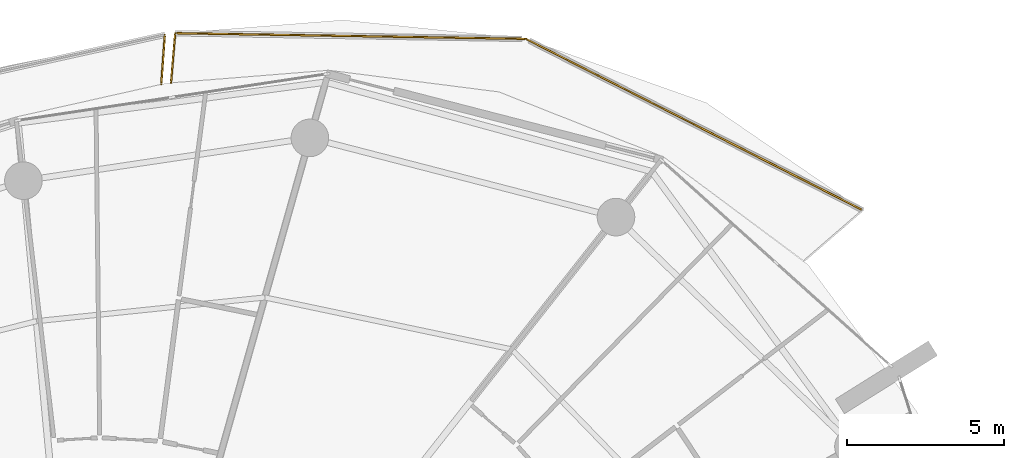
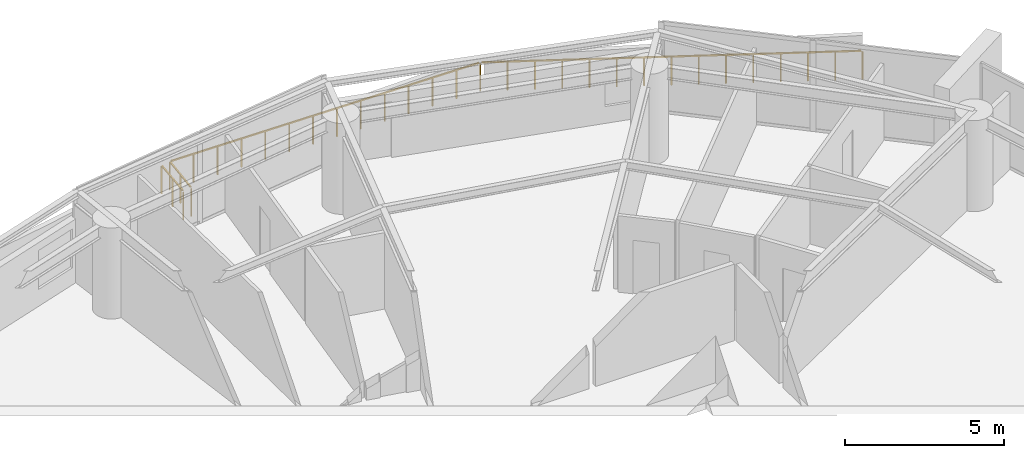
# One storey, part 23 of 23: 4 railings.
"""IFC4 building model written with IfcOpenShell, lengths in metres."""

import ifcopenshell
import ifcopenshell.guid

model = None  # the IFC model being written
_history = None  # IfcOwnerHistory: only IFC2X3 demands one
_inside = {}  # id of a spatial element -> (the spatial element, [elements in it])
_under = {}  # id of a project, library or spatial element -> (it, [spatial elements below it])
_declared = {}  # id of a project -> (the project, [libraries it declares])
_typed = {}  # id of a type object -> (the type object, [elements of that type])
_made_of = {}  # id of a material, layer set ... -> (it, [elements and type objects made of it])


def new_model(schema):
    """Start an empty IFC model of exactly this schema.

    Asked for "IFC4X3", IfcOpenShell would pick the latest addendum, in which some entities
    have other attributes; the version numbers below select the first issue.
    IFC2X3 requires an IfcOwnerHistory on every rooted entity: one is made here for all.
    """
    global model, _history
    if schema == "IFC4X3":
        model = ifcopenshell.file(schema_version=(4, 3, 0, 0))
    else:
        model = ifcopenshell.file(schema=schema)
    _inside.clear()
    _under.clear()
    _declared.clear()
    _typed.clear()
    _made_of.clear()
    _history = None
    if model.schema == "IFC2X3":
        org = make("IfcOrganization", Name="unknown")
        user = make(
            "IfcPersonAndOrganization",
            ThePerson=make("IfcPerson", FamilyName="unknown"),
            TheOrganization=org,
        )
        app = make(
            "IfcApplication",
            ApplicationDeveloper=org,
            Version="unknown",
            ApplicationFullName="unknown",
            ApplicationIdentifier="unknown",
        )
        _history = make(
            "IfcOwnerHistory",
            OwningUser=user,
            OwningApplication=app,
            ChangeAction="ADDED",
            CreationDate=0,
        )
    return model


def make(cls, **values):
    """One entity of the class cls with the attributes given. An attribute that is None is left unset."""
    return model.create_entity(
        cls, **{name: value for name, value in values.items() if value is not None}
    )


def rooted(cls, **values):
    """An entity with a GlobalId (a new one), such as an element, a storey or a relation."""
    return make(cls, GlobalId=ifcopenshell.guid.new(), OwnerHistory=_history, **values)


def si_unit(unit_type, name, prefix=None):
    """IfcSIUnit, for example si_unit("LENGTHUNIT", "METRE", prefix="MILLI")."""
    return make("IfcSIUnit", UnitType=unit_type, Prefix=prefix, Name=name)


def assignment(units):
    """IfcUnitAssignment: the units of a project."""
    return None if units is None else make("IfcUnitAssignment", Units=units)


def point(xyz):
    """IfcCartesianPoint."""
    return None if xyz is None else make("IfcCartesianPoint", Coordinates=xyz)


def direction(xyz):
    """IfcDirection."""
    return None if xyz is None else make("IfcDirection", DirectionRatios=xyz)


def frame(location, z_axis=None, x_axis=None):
    """IfcAxis2Placement3D, a coordinate frame: its origin and axes. An axis left out is left unset."""
    return make(
        "IfcAxis2Placement3D",
        Location=point(location),
        Axis=direction(z_axis),
        RefDirection=direction(x_axis),
    )


def frame_2d(location, x_axis=None):
    """IfcAxis2Placement2D, a coordinate frame in the plane: its origin and x axis."""
    return make(
        "IfcAxis2Placement2D", Location=point(location), RefDirection=direction(x_axis)
    )


def origin():
    """The frame at (0, 0, 0) with its axes left unset."""
    return frame((0.0, 0.0, 0.0))


def origin_2d():
    """The frame at (0, 0) in the plane with its x axis left unset."""
    return frame_2d((0.0, 0.0))


def place(relative_to, where):
    """IfcLocalPlacement: puts the frame where relative to a parent placement (None: the world)."""
    return make(
        "IfcLocalPlacement", PlacementRelTo=relative_to, RelativePlacement=where
    )


def context(
    kind, dimensions, precision=None, world=None, true_north=None, identifier=None
):
    """IfcGeometricRepresentationContext, for example the 3D "Model" context."""
    return make(
        "IfcGeometricRepresentationContext",
        ContextIdentifier=identifier,
        ContextType=kind,
        CoordinateSpaceDimension=dimensions,
        Precision=precision,
        WorldCoordinateSystem=world,
        TrueNorth=true_north,
    )


def subcontext(parent, identifier, kind, view, scale=None):
    """IfcGeometricRepresentationSubContext, for example "Body" below "Model"."""
    return make(
        "IfcGeometricRepresentationSubContext",
        ContextIdentifier=identifier,
        ContextType=kind,
        ParentContext=parent,
        TargetScale=scale,
        TargetView=view,
    )


def project(units=None, contexts=None):
    """IfcProject with its units and contexts."""
    return rooted(
        "IfcProject",
        Name="project",
        RepresentationContexts=contexts,
        UnitsInContext=assignment(units),
    )


def spatial(cls, under=None, at=None, **own):
    """A site, building, storey or space (cls), placed at a placement, below another one or the project."""
    s = rooted(cls, ObjectPlacement=at, **own)
    if under is not None:
        _under.setdefault(under.id(), (under, []))[1].append(s)
    return s


def profile(cls, at=None, kind="AREA", **sizes):
    """A parametric profile (cls). Its sizes go by their IFC names, for example OverallWidth=200.0."""
    return make(cls, ProfileType=kind, Position=at, **sizes)


def rectangle(**sizes):
    """IfcRectangleProfileDef."""
    return profile("IfcRectangleProfileDef", **sizes)


def extrude(swept, where, along, depth):
    """IfcExtrudedAreaSolid: the profile swept, set in the frame where, extruded along a direction by depth."""
    return make(
        "IfcExtrudedAreaSolid",
        SweptArea=swept,
        Position=where,
        ExtrudedDirection=direction(along),
        Depth=depth,
    )


def shape(context_of_items, identifier, shape_type, items):
    """IfcShapeRepresentation: the items that make up one representation, for example the "Body"."""
    return make(
        "IfcShapeRepresentation",
        ContextOfItems=context_of_items,
        RepresentationIdentifier=identifier,
        RepresentationType=shape_type,
        Items=items,
    )


def material(Name=None, Category=None):
    """IfcMaterial."""
    return make("IfcMaterial", Name=Name, Category=Category)


def made_of(thing, what):
    """Note that an element or type object is made of a material, layer set ...; save() writes the relation."""
    if what is not None:
        _made_of.setdefault(what.id(), (what, []))[1].append(thing)
    return thing


def type_object(cls, material=None, **own):
    """A type object (cls), such as IfcWallType, which elements share."""
    return made_of(rooted(cls, **own), material)


def element(
    cls,
    number,
    at=None,
    inside=None,
    cuts=None,
    type_object=None,
    material=None,
    context=None,
    identifier="Body",
    shape_type=None,
    held_by="IfcProductDefinitionShape",
    body=None,
    shapes=None,
    **own,
):
    """One element of the class cls, such as IfcWall. Its Tag is "e" and its number.

    at: its placement. inside: the storey or other place that contains it. cuts: it is an
    opening in that element (IfcRelVoidsElement). A single representation is given by context,
    identifier, shape_type and body (its items); several are given by shapes. held_by: the class
    of the entity that holds the representations. save() writes the other relations.
    """
    e = rooted(cls, Tag="e%d" % number, ObjectPlacement=at, **own)
    if body is not None:
        shapes = [shape(context, identifier, shape_type, body)]
    if shapes is not None:
        e.Representation = make(held_by, Representations=shapes)
    if inside is not None:
        _inside.setdefault(inside.id(), (inside, []))[1].append(e)
    if cuts is not None:
        rooted(
            "IfcRelVoidsElement", RelatingBuildingElement=cuts, RelatedOpeningElement=e
        )
    if type_object is not None:
        _typed.setdefault(type_object.id(), (type_object, []))[1].append(e)
    return made_of(e, material)


def aggregate(whole, parts):
    """IfcRelAggregates: a whole, such as a stair, and the parts it consists of."""
    return rooted("IfcRelAggregates", RelatingObject=whole, RelatedObjects=parts)


def save(model, path):
    """Write the relations noted so far, then the file.

    IfcRelAggregates (storeys below a building ...), IfcRelContainedInSpatialStructure (elements
    in a storey), IfcRelDefinesByType, IfcRelAssociatesMaterial and IfcRelDeclares: one each for
    every whole, place, type object, material and project.
    """
    for whole, parts in _under.values():
        aggregate(whole, parts)
    for where, things in _inside.values():
        rooted(
            "IfcRelContainedInSpatialStructure",
            RelatedElements=things,
            RelatingStructure=where,
        )
    for kind, things in _typed.values():
        rooted("IfcRelDefinesByType", RelatedObjects=things, RelatingType=kind)
    for what, things in _made_of.values():
        rooted("IfcRelAssociatesMaterial", RelatedObjects=things, RelatingMaterial=what)
    for by, libraries in _declared.values():
        rooted("IfcRelDeclares", RelatingContext=by, RelatedDefinitions=libraries)
    model.write(path)


model = new_model("IFC4")

# Units and contexts
model_context = context("Model", 3, precision=1e-05, world=origin(), true_north=direction((0.0, 1.0)))
body_context = subcontext(model_context, "Body", "Model", "MODEL_VIEW")
ifc_project = project(units=[si_unit("LENGTHUNIT", "METRE"), si_unit("AREAUNIT", "SQUARE_METRE"), si_unit("VOLUMEUNIT", "CUBIC_METRE"), si_unit("PLANEANGLEUNIT", "RADIAN"), si_unit("MASSUNIT", "GRAM", prefix="KILO")], contexts=[model_context])

# Site, building, storey
site_placement = place(None, origin())
site = spatial("IfcSite", under=ifc_project, at=site_placement, CompositionType="ELEMENT")
building_placement = place(site_placement, origin())
building = spatial("IfcBuilding", under=site, at=building_placement, Name="Kazma Halo Residences", CompositionType="ELEMENT")
storey_placement = place(building_placement, frame((0.0, 0.0, 78.89990234375)))
storey = spatial("IfcBuildingStorey", under=building, at=storey_placement, Name="L19", CompositionType="ELEMENT", Elevation=78.89990234375)

# Railings
ifc_material = material(Name="Aluminium AW-6063 T6 Brushed Cap Rail", Category="aluminium")
railing_type = type_object("IfcRailingType", Name="RLG-BAL-CAP-1120", PredefinedType="BALUSTRADE", material=ifc_material)
railing_1_placement = place(storey_placement, frame((72.20068359375, 62.92626953125, 0.0)))
element("IfcRailing", 1, at=railing_1_placement, inside=storey, type_object=railing_type, Name="L19 NE wave balcony guard 2", PredefinedType="BALUSTRADE", context=body_context, shape_type="SweptSolid", body=[
    extrude(rectangle(XDim=0.050048828125, YDim=0.050048828125, at=origin_2d()), frame((-0.037841796875, 0.019287109375, 1.09521484375), z_axis=(-0.891325526743, 0.45336387745, 0.0), x_axis=(-0.45336387745, -0.891325526743, 0.0)), (0.0, 0.0, 1.0), 11.9775390625),
    extrude(rectangle(XDim=0.0400390625, YDim=0.0400390625, at=origin_2d()), origin(), (0.0, 0.0, 1.0), 1.05810546875),
    extrude(rectangle(XDim=0.0400390625, YDim=0.0400390625, at=origin_2d()), frame((-0.76806640625, 0.390625, 0.0)), (0.0, 0.0, 1.0), 1.05810546875),
    extrude(rectangle(XDim=0.0400390625, YDim=0.0400390625, at=origin_2d()), frame((-1.535888671875, 0.78125, 0.0)), (0.0, 0.0, 1.0), 1.05810546875),
    extrude(rectangle(XDim=0.0400390625, YDim=0.0400390625, at=origin_2d()), frame((-2.303955078125, 1.171875, 0.0)), (0.0, 0.0, 1.0), 1.05810546875),
    extrude(rectangle(XDim=0.0400390625, YDim=0.0400390625, at=origin_2d()), frame((-3.072021484375, 1.5625, 0.0)), (0.0, 0.0, 1.0), 1.05810546875),
    extrude(rectangle(XDim=0.0400390625, YDim=0.0400390625, at=origin_2d()), frame((-3.83984375, 1.953125, 0.0)), (0.0, 0.0, 1.0), 1.05810546875),
    extrude(rectangle(XDim=0.0400390625, YDim=0.0400390625, at=origin_2d()), frame((-4.60791015625, 2.34375, 0.0)), (0.0, 0.0, 1.0), 1.05810546875),
    extrude(rectangle(XDim=0.0400390625, YDim=0.0400390625, at=origin_2d()), frame((-5.3759765625, 2.734375, 0.0)), (0.0, 0.0, 1.0), 1.05810546875),
    extrude(rectangle(XDim=0.0400390625, YDim=0.0400390625, at=origin_2d()), frame((-6.143798828125, 3.125, 0.0)), (0.0, 0.0, 1.0), 1.05810546875),
    extrude(rectangle(XDim=0.0400390625, YDim=0.0400390625, at=origin_2d()), frame((-6.911865234375, 3.515625, 0.0)), (0.0, 0.0, 1.0), 1.05810546875),
    extrude(rectangle(XDim=0.0400390625, YDim=0.0400390625, at=origin_2d()), frame((-7.6796875, 3.90625, 0.0)), (0.0, 0.0, 1.0), 1.05810546875),
    extrude(rectangle(XDim=0.0400390625, YDim=0.0400390625, at=origin_2d()), frame((-8.44775390625, 4.296875, 0.0)), (0.0, 0.0, 1.0), 1.05810546875),
    extrude(rectangle(XDim=0.0400390625, YDim=0.0400390625, at=origin_2d()), frame((-9.2158203125, 4.6875, 0.0)), (0.0, 0.0, 1.0), 1.05810546875),
    extrude(rectangle(XDim=0.0400390625, YDim=0.0400390625, at=origin_2d()), frame((-9.983642578125, 5.078125, 0.0)), (0.0, 0.0, 1.0), 1.05810546875),
    extrude(rectangle(XDim=0.0400390625, YDim=0.0400390625, at=origin_2d()), frame((-10.751708984375, 5.46875, 0.0)), (0.0, 0.0, 1.0), 1.05810546875),
])
railing_2_placement = place(storey_placement, frame((61.448974609375, 68.39501953125, 0.0)))
element("IfcRailing", 2, at=railing_2_placement, inside=storey, type_object=railing_type, Name="L19 NE wave balcony guard 3", PredefinedType="BALUSTRADE", context=body_context, shape_type="SweptSolid", body=[
    extrude(rectangle(XDim=0.050048828125, YDim=0.050048828125, at=origin_2d()), frame((-0.04248046875, 0.000732421875, 1.09521484375), z_axis=(-0.999868371043, 0.016224690688, 0.0), x_axis=(-0.016224690688, -0.999868371043, 0.0)), (0.0, 0.0, 1.0), 11.1103515625),
    extrude(rectangle(XDim=0.0400390625, YDim=0.0400390625, at=origin_2d()), origin(), (0.0, 0.0, 1.0), 1.05810546875),
    extrude(rectangle(XDim=0.0400390625, YDim=0.0400390625, at=origin_2d()), frame((-0.861083984375, 0.013916015625, 0.0)), (0.0, 0.0, 1.0), 1.05810546875),
    extrude(rectangle(XDim=0.0400390625, YDim=0.0400390625, at=origin_2d()), frame((-1.72216796875, 0.02783203125, 0.0)), (0.0, 0.0, 1.0), 1.05810546875),
    extrude(rectangle(XDim=0.0400390625, YDim=0.0400390625, at=origin_2d()), frame((-2.583251953125, 0.0419921875, 0.0)), (0.0, 0.0, 1.0), 1.05810546875),
    extrude(rectangle(XDim=0.0400390625, YDim=0.0400390625, at=origin_2d()), frame((-3.4443359375, 0.055908203125, 0.0)), (0.0, 0.0, 1.0), 1.05810546875),
    extrude(rectangle(XDim=0.0400390625, YDim=0.0400390625, at=origin_2d()), frame((-4.305419921875, 0.06982421875, 0.0)), (0.0, 0.0, 1.0), 1.05810546875),
    extrude(rectangle(XDim=0.0400390625, YDim=0.0400390625, at=origin_2d()), frame((-5.16650390625, 0.083740234375, 0.0)), (0.0, 0.0, 1.0), 1.05810546875),
    extrude(rectangle(XDim=0.0400390625, YDim=0.0400390625, at=origin_2d()), frame((-6.02734375, 0.097900390625, 0.0)), (0.0, 0.0, 1.0), 1.05810546875),
    extrude(rectangle(XDim=0.0400390625, YDim=0.0400390625, at=origin_2d()), frame((-6.888427734375, 0.11181640625, 0.0)), (0.0, 0.0, 1.0), 1.05810546875),
    extrude(rectangle(XDim=0.0400390625, YDim=0.0400390625, at=origin_2d()), frame((-7.74951171875, 0.125732421875, 0.0)), (0.0, 0.0, 1.0), 1.05810546875),
    extrude(rectangle(XDim=0.0400390625, YDim=0.0400390625, at=origin_2d()), frame((-8.610595703125, 0.1396484375, 0.0)), (0.0, 0.0, 1.0), 1.05810546875),
    extrude(rectangle(XDim=0.0400390625, YDim=0.0400390625, at=origin_2d()), frame((-9.4716796875, 0.15380859375, 0.0)), (0.0, 0.0, 1.0), 1.05810546875),
    extrude(rectangle(XDim=0.0400390625, YDim=0.0400390625, at=origin_2d()), frame((-10.332763671875, 0.167724609375, 0.0)), (0.0, 0.0, 1.0), 1.05810546875),
    extrude(rectangle(XDim=0.0400390625, YDim=0.0400390625, at=origin_2d()), frame((-11.19384765625, 0.181640625, 0.0)), (0.0, 0.0, 1.0), 1.05810546875),
])
railing_3_placement = place(storey_placement, frame((50.255126953125, 68.57666015625, 0.0)))
element("IfcRailing", 3, at=railing_3_placement, inside=storey, type_object=railing_type, Name="L19 NE wave balcony guard 4", PredefinedType="BALUSTRADE", context=body_context, shape_type="SweptSolid", body=[
    extrude(rectangle(XDim=0.050048828125, YDim=0.050048828125, at=origin_2d()), frame((-0.003662109375, -0.04248046875, 1.09521484375), z_axis=(-0.084608455239, -0.996414275943, 0.0), x_axis=(0.996414275943, -0.084608455239, 0.0)), (0.0, 0.0, 1.0), 1.5048828125),
    extrude(rectangle(XDim=0.0400390625, YDim=0.0400390625, at=origin_2d()), origin(), (0.0, 0.0, 1.0), 1.05810546875),
    extrude(rectangle(XDim=0.0400390625, YDim=0.0400390625, at=origin_2d()), frame((-0.0673828125, -0.7919921875, 0.0)), (0.0, 0.0, 1.0), 1.05810546875),
    extrude(rectangle(XDim=0.0400390625, YDim=0.0400390625, at=origin_2d()), frame((-0.134521484375, -1.584228515625, 0.0)), (0.0, 0.0, 1.0), 1.05810546875),
])
railing_4_placement = place(storey_placement, frame((49.81005859375, 66.94580078125, 0.0)))
element("IfcRailing", 4, at=railing_4_placement, inside=storey, type_object=railing_type, Name="L19 NNW wave balcony guard 1", PredefinedType="BALUSTRADE", context=body_context, shape_type="SweptSolid", body=[
    extrude(rectangle(XDim=0.050048828125, YDim=0.050048828125, at=origin_2d()), frame((0.003173828125, 0.04248046875, 1.09521484375), z_axis=(0.072385279511, 0.997376744921, 0.0), x_axis=(-0.997376744921, 0.072385279511, 0.0)), (0.0, 0.0, 1.0), 1.500244140625),
    extrude(rectangle(XDim=0.0400390625, YDim=0.0400390625, at=origin_2d()), origin(), (0.0, 0.0, 1.0), 1.05810546875),
    extrude(rectangle(XDim=0.0400390625, YDim=0.0400390625, at=origin_2d()), frame((0.057373046875, 0.79052734375, 0.0)), (0.0, 0.0, 1.0), 1.05810546875),
    extrude(rectangle(XDim=0.0400390625, YDim=0.0400390625, at=origin_2d()), frame((0.11474609375, 1.5810546875, 0.0)), (0.0, 0.0, 1.0), 1.05810546875),
])

save(model, "model.ifc")
